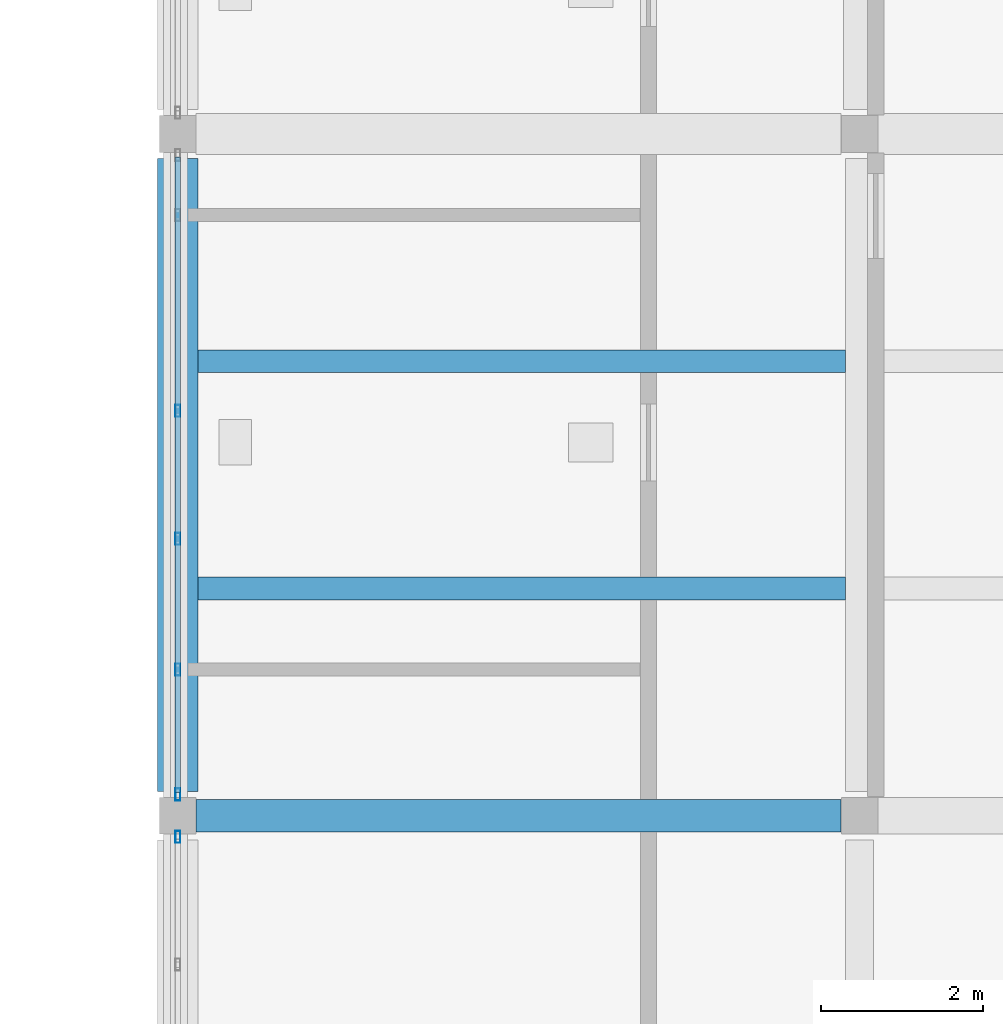
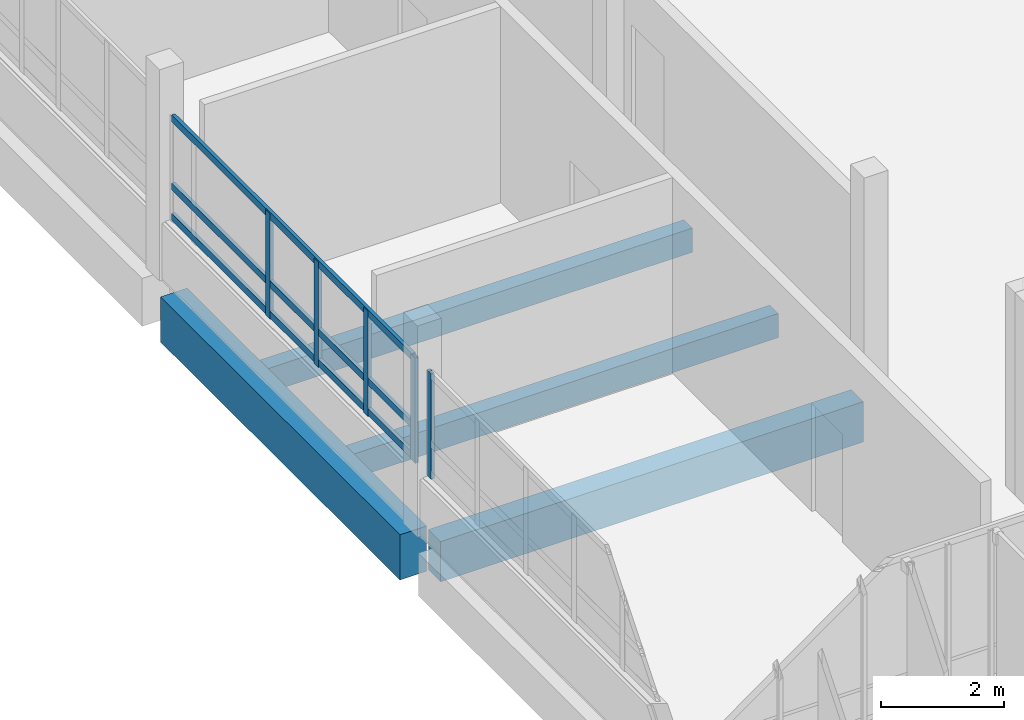
# One storey, part 13 of 62: 8 members, 4 beams, 2 elements without a shape of their own.
"""IFC4 building model written with IfcOpenShell, lengths in metres."""

import ifcopenshell
import ifcopenshell.guid

model = None  # the IFC model being written
_history = None  # IfcOwnerHistory: only IFC2X3 demands one
_inside = {}  # id of a spatial element -> (the spatial element, [elements in it])
_under = {}  # id of a project, library or spatial element -> (it, [spatial elements below it])
_declared = {}  # id of a project -> (the project, [libraries it declares])
_typed = {}  # id of a type object -> (the type object, [elements of that type])
_made_of = {}  # id of a material, layer set ... -> (it, [elements and type objects made of it])


def new_model(schema):
    """Start an empty IFC model of exactly this schema.

    Asked for "IFC4X3", IfcOpenShell would pick the latest addendum, in which some entities
    have other attributes; the version numbers below select the first issue.
    IFC2X3 requires an IfcOwnerHistory on every rooted entity: one is made here for all.
    """
    global model, _history
    if schema == "IFC4X3":
        model = ifcopenshell.file(schema_version=(4, 3, 0, 0))
    else:
        model = ifcopenshell.file(schema=schema)
    _inside.clear()
    _under.clear()
    _declared.clear()
    _typed.clear()
    _made_of.clear()
    _history = None
    if model.schema == "IFC2X3":
        org = make("IfcOrganization", Name="unknown")
        user = make(
            "IfcPersonAndOrganization",
            ThePerson=make("IfcPerson", FamilyName="unknown"),
            TheOrganization=org,
        )
        app = make(
            "IfcApplication",
            ApplicationDeveloper=org,
            Version="unknown",
            ApplicationFullName="unknown",
            ApplicationIdentifier="unknown",
        )
        _history = make(
            "IfcOwnerHistory",
            OwningUser=user,
            OwningApplication=app,
            ChangeAction="ADDED",
            CreationDate=0,
        )
    return model


def make(cls, **values):
    """One entity of the class cls with the attributes given. An attribute that is None is left unset."""
    return model.create_entity(
        cls, **{name: value for name, value in values.items() if value is not None}
    )


def rooted(cls, **values):
    """An entity with a GlobalId (a new one), such as an element, a storey or a relation."""
    return make(cls, GlobalId=ifcopenshell.guid.new(), OwnerHistory=_history, **values)


def si_unit(unit_type, name, prefix=None):
    """IfcSIUnit, for example si_unit("LENGTHUNIT", "METRE", prefix="MILLI")."""
    return make("IfcSIUnit", UnitType=unit_type, Prefix=prefix, Name=name)


def assignment(units):
    """IfcUnitAssignment: the units of a project."""
    return None if units is None else make("IfcUnitAssignment", Units=units)


def point(xyz):
    """IfcCartesianPoint."""
    return None if xyz is None else make("IfcCartesianPoint", Coordinates=xyz)


def direction(xyz):
    """IfcDirection."""
    return None if xyz is None else make("IfcDirection", DirectionRatios=xyz)


def frame(location, z_axis=None, x_axis=None):
    """IfcAxis2Placement3D, a coordinate frame: its origin and axes. An axis left out is left unset."""
    return make(
        "IfcAxis2Placement3D",
        Location=point(location),
        Axis=direction(z_axis),
        RefDirection=direction(x_axis),
    )


def frame_2d(location, x_axis=None):
    """IfcAxis2Placement2D, a coordinate frame in the plane: its origin and x axis."""
    return make(
        "IfcAxis2Placement2D", Location=point(location), RefDirection=direction(x_axis)
    )


def origin():
    """The frame at (0, 0, 0) with its axes left unset."""
    return frame((0.0, 0.0, 0.0))


def origin_2d():
    """The frame at (0, 0) in the plane with its x axis left unset."""
    return frame_2d((0.0, 0.0))


def place(relative_to, where):
    """IfcLocalPlacement: puts the frame where relative to a parent placement (None: the world)."""
    return make(
        "IfcLocalPlacement", PlacementRelTo=relative_to, RelativePlacement=where
    )


def context(
    kind, dimensions, precision=None, world=None, true_north=None, identifier=None
):
    """IfcGeometricRepresentationContext, for example the 3D "Model" context."""
    return make(
        "IfcGeometricRepresentationContext",
        ContextIdentifier=identifier,
        ContextType=kind,
        CoordinateSpaceDimension=dimensions,
        Precision=precision,
        WorldCoordinateSystem=world,
        TrueNorth=true_north,
    )


def subcontext(parent, identifier, kind, view, scale=None):
    """IfcGeometricRepresentationSubContext, for example "Body" below "Model"."""
    return make(
        "IfcGeometricRepresentationSubContext",
        ContextIdentifier=identifier,
        ContextType=kind,
        ParentContext=parent,
        TargetScale=scale,
        TargetView=view,
    )


def project(units=None, contexts=None):
    """IfcProject with its units and contexts."""
    return rooted(
        "IfcProject",
        Name="project",
        RepresentationContexts=contexts,
        UnitsInContext=assignment(units),
    )


def spatial(cls, under=None, at=None, **own):
    """A site, building, storey or space (cls), placed at a placement, below another one or the project."""
    s = rooted(cls, ObjectPlacement=at, **own)
    if under is not None:
        _under.setdefault(under.id(), (under, []))[1].append(s)
    return s


def profile(cls, at=None, kind="AREA", **sizes):
    """A parametric profile (cls). Its sizes go by their IFC names, for example OverallWidth=200.0."""
    return make(cls, ProfileType=kind, Position=at, **sizes)


def rectangle(**sizes):
    """IfcRectangleProfileDef."""
    return profile("IfcRectangleProfileDef", **sizes)


def hollow_rectangle(**sizes):
    """IfcRectangleHollowProfileDef."""
    return profile("IfcRectangleHollowProfileDef", **sizes)


def extrude(swept, where, along, depth):
    """IfcExtrudedAreaSolid: the profile swept, set in the frame where, extruded along a direction by depth."""
    return make(
        "IfcExtrudedAreaSolid",
        SweptArea=swept,
        Position=where,
        ExtrudedDirection=direction(along),
        Depth=depth,
    )


def shape(context_of_items, identifier, shape_type, items):
    """IfcShapeRepresentation: the items that make up one representation, for example the "Body"."""
    return make(
        "IfcShapeRepresentation",
        ContextOfItems=context_of_items,
        RepresentationIdentifier=identifier,
        RepresentationType=shape_type,
        Items=items,
    )


def material(Name=None, Category=None):
    """IfcMaterial."""
    return make("IfcMaterial", Name=Name, Category=Category)


def layer(
    of_material, thickness, ventilated=None, Name=None, Category=None, Priority=None
):
    """IfcMaterialLayer: one layer of a wall or slab, of a material (None: an air gap)."""
    return make(
        "IfcMaterialLayer",
        Material=of_material,
        LayerThickness=thickness,
        IsVentilated=ventilated,
        Name=Name,
        Category=Category,
        Priority=Priority,
    )


def layer_set(layers, Name=None):
    """IfcMaterialLayerSet."""
    return make("IfcMaterialLayerSet", MaterialLayers=layers, LayerSetName=Name)


def material_profile(
    of_material, cross_section, Name=None, Category=None, Priority=None
):
    """IfcMaterialProfile: a cross section and its material."""
    return make(
        "IfcMaterialProfile",
        Name=Name,
        Material=of_material,
        Profile=cross_section,
        Priority=Priority,
        Category=Category,
    )


def profile_set(profiles, Name=None, composite=None):
    """IfcMaterialProfileSet."""
    return make(
        "IfcMaterialProfileSet",
        Name=Name,
        MaterialProfiles=profiles,
        CompositeProfile=composite,
    )


def made_of(thing, what):
    """Note that an element or type object is made of a material, layer set ...; save() writes the relation."""
    if what is not None:
        _made_of.setdefault(what.id(), (what, []))[1].append(thing)
    return thing


def type_object(cls, material=None, **own):
    """A type object (cls), such as IfcWallType, which elements share."""
    return made_of(rooted(cls, **own), material)


def element(
    cls,
    number,
    at=None,
    inside=None,
    cuts=None,
    type_object=None,
    material=None,
    context=None,
    identifier="Body",
    shape_type=None,
    held_by="IfcProductDefinitionShape",
    body=None,
    shapes=None,
    **own,
):
    """One element of the class cls, such as IfcWall. Its Tag is "e" and its number.

    at: its placement. inside: the storey or other place that contains it. cuts: it is an
    opening in that element (IfcRelVoidsElement). A single representation is given by context,
    identifier, shape_type and body (its items); several are given by shapes. held_by: the class
    of the entity that holds the representations. save() writes the other relations.
    """
    e = rooted(cls, Tag="e%d" % number, ObjectPlacement=at, **own)
    if body is not None:
        shapes = [shape(context, identifier, shape_type, body)]
    if shapes is not None:
        e.Representation = make(held_by, Representations=shapes)
    if inside is not None:
        _inside.setdefault(inside.id(), (inside, []))[1].append(e)
    if cuts is not None:
        rooted(
            "IfcRelVoidsElement", RelatingBuildingElement=cuts, RelatedOpeningElement=e
        )
    if type_object is not None:
        _typed.setdefault(type_object.id(), (type_object, []))[1].append(e)
    return made_of(e, material)


def aggregate(whole, parts):
    """IfcRelAggregates: a whole, such as a stair, and the parts it consists of."""
    return rooted("IfcRelAggregates", RelatingObject=whole, RelatedObjects=parts)


def save(model, path):
    """Write the relations noted so far, then the file.

    IfcRelAggregates (storeys below a building ...), IfcRelContainedInSpatialStructure (elements
    in a storey), IfcRelDefinesByType, IfcRelAssociatesMaterial and IfcRelDeclares: one each for
    every whole, place, type object, material and project.
    """
    for whole, parts in _under.values():
        aggregate(whole, parts)
    for where, things in _inside.values():
        rooted(
            "IfcRelContainedInSpatialStructure",
            RelatedElements=things,
            RelatingStructure=where,
        )
    for kind, things in _typed.values():
        rooted("IfcRelDefinesByType", RelatedObjects=things, RelatingType=kind)
    for what, things in _made_of.values():
        rooted("IfcRelAssociatesMaterial", RelatedObjects=things, RelatingMaterial=what)
    for by, libraries in _declared.values():
        rooted("IfcRelDeclares", RelatingContext=by, RelatedDefinitions=libraries)
    model.write(path)


model = new_model("IFC4")

# Units and contexts
model_context = context("Model", 3, precision=1e-05, world=origin(), true_north=direction((0.0, 1.0)))
body_context = subcontext(model_context, "Body", "Model", "MODEL_VIEW")
ifc_project = project(units=[si_unit("LENGTHUNIT", "METRE"), si_unit("AREAUNIT", "SQUARE_METRE"), si_unit("VOLUMEUNIT", "CUBIC_METRE"), si_unit("PLANEANGLEUNIT", "RADIAN"), si_unit("MASSUNIT", "GRAM", prefix="KILO")], contexts=[model_context])

# Site, building, storey
site_placement = place(None, origin())
site = spatial("IfcSite", under=ifc_project, at=site_placement, CompositionType="ELEMENT")
building_placement = place(site_placement, origin())
building = spatial("IfcBuilding", under=site, at=building_placement, Name="Vireocrest Preparatory School", CompositionType="ELEMENT")
storey_placement = place(building_placement, frame((0.0, 0.0, 17.39990234375)))
storey = spatial("IfcBuildingStorey", under=building, at=storey_placement, Name="L04", CompositionType="ELEMENT", Elevation=17.39990234375)

# Curtain wall, member
ifc_material_1 = material(Name="Thermally broken aluminium EN AW-6063-T6", Category="aluminium")
ifc_layer = layer(ifc_material_1, 0.179931640625)
ifc_layer_set = layer_set([ifc_layer], Name="Thermally broken aluminium EN AW-6063-T6")
curtain_wall_type = type_object("IfcCurtainWallType", Name="Court Banded Curtain Wall 8400x3000", PredefinedType="USERDEFINED", material=ifc_layer_set)
curtain_wall_1_placement = place(storey_placement, origin())
curtain_wall_1 = element("IfcCurtainWall", 1, at=curtain_wall_1_placement, inside=storey, type_object=curtain_wall_type, Name="Curtain Wall CW02 CW_L04_CW02_0924_0440_186", ObjectType="CURTAIN WALL", PredefinedType="USERDEFINED")
ifc_material_profile_1 = material_profile(ifc_material_1, hollow_rectangle(XDim=0.06494140625, YDim=0.14990234375, WallThickness=0.00390625, at=origin_2d()), Name="ALU 65x150x4")
ifc_profile_set_1 = profile_set([ifc_material_profile_1], Name="Thermally broken aluminium EN AW-6063-T6")
member_type_1 = type_object("IfcMemberType", Name="CW Mullion 65x150x4", PredefinedType="MULLION", material=ifc_profile_set_1)
member_1_placement = place(storey_placement, frame((92.39990234375, 51.93994140625, 1.150146484375), z_axis=(0.0, 0.0, 1.0), x_axis=(1.0, 0.0, 0.0)))
member_1 = element("IfcMember", 2, at=member_1_placement, type_object=member_type_1, Name="CW Mullion ML1 CW_L04_CW02_0924_0440_186-6", PredefinedType="MULLION", context=body_context, shape_type="SweptSolid", body=[
    extrude(hollow_rectangle(XDim=0.06494140625, YDim=0.14990234375, WallThickness=0.00390625, at=origin_2d()), origin(), (0.0, 0.0, 1.0), 2.094970703125),
])
aggregate(curtain_wall_1, [member_1])

# Curtain wall, members
curtain_wall_2_placement = place(storey_placement, origin())
curtain_wall_2 = element("IfcCurtainWall", 3, at=curtain_wall_2_placement, inside=storey, type_object=curtain_wall_type, Name="Curtain Wall CW02 CW_L04_CW02_0924_0524_186", ObjectType="CURTAIN WALL", PredefinedType="USERDEFINED")
member_2_placement = place(storey_placement, frame((92.39990234375, 52.4599609375, 1.150146484375), z_axis=(0.0, 0.0, 1.0), x_axis=(1.0, 0.0, 0.0)))
member_2 = element("IfcMember", 4, at=member_2_placement, type_object=member_type_1, Name="CW Mullion ML1 CW_L04_CW02_0924_0524_186-1", PredefinedType="MULLION", context=body_context, shape_type="SweptSolid", body=[
    extrude(hollow_rectangle(XDim=0.06494140625, YDim=0.14990234375, WallThickness=0.00390625, at=origin_2d()), origin(), (0.0, 0.0, 1.0), 2.094970703125),
])
member_3_placement = place(storey_placement, frame((92.39990234375, 54.0, 1.150146484375), z_axis=(0.0, 0.0, 1.0), x_axis=(1.0, 0.0, 0.0)))
member_3 = element("IfcMember", 5, at=member_3_placement, type_object=member_type_1, Name="CW Mullion ML1 CW_L04_CW02_0924_0524_186-2", PredefinedType="MULLION", context=body_context, shape_type="SweptSolid", body=[
    extrude(hollow_rectangle(XDim=0.06494140625, YDim=0.14990234375, WallThickness=0.00390625, at=origin_2d()), origin(), (0.0, 0.0, 1.0), 2.094970703125),
])
member_4_placement = place(storey_placement, frame((92.39990234375, 55.612060546875, 1.150146484375), z_axis=(0.0, 0.0, 1.0), x_axis=(1.0, 0.0, 0.0)))
member_4 = element("IfcMember", 6, at=member_4_placement, type_object=member_type_1, Name="CW Mullion ML1 CW_L04_CW02_0924_0524_186-3", PredefinedType="MULLION", context=body_context, shape_type="SweptSolid", body=[
    extrude(hollow_rectangle(XDim=0.06494140625, YDim=0.14990234375, WallThickness=0.00390625, at=origin_2d()), origin(), (0.0, 0.0, 1.0), 2.094970703125),
])
member_5_placement = place(storey_placement, frame((92.39990234375, 57.18798828125, 1.150146484375), z_axis=(0.0, 0.0, 1.0), x_axis=(1.0, 0.0, 0.0)))
member_5 = element("IfcMember", 7, at=member_5_placement, type_object=member_type_1, Name="CW Mullion ML1 CW_L04_CW02_0924_0524_186-4", PredefinedType="MULLION", context=body_context, shape_type="SweptSolid", body=[
    extrude(hollow_rectangle(XDim=0.06494140625, YDim=0.14990234375, WallThickness=0.00390625, at=origin_2d()), origin(), (0.0, 0.0, 1.0), 2.094970703125),
])
ifc_material_profile_2 = material_profile(ifc_material_1, hollow_rectangle(XDim=0.06494140625, YDim=0.139892578125, WallThickness=0.00390625, at=origin_2d()), Name="ALU 65x140x4")
ifc_profile_set_2 = profile_set([ifc_material_profile_2], Name="Thermally broken aluminium EN AW-6063-T6")
member_type_2 = type_object("IfcMemberType", Name="CW Transom 65x140x4", PredefinedType="USERDEFINED", material=ifc_profile_set_2)
member_6_placement = place(storey_placement, frame((92.39990234375, 52.485107421875, 1.2451171875), z_axis=(0.0, 1.0, 0.0), x_axis=(-1.0, 0.0, 0.0)))
member_6 = element("IfcMember", 8, at=member_6_placement, type_object=member_type_2, Name="CW Transom TR1 CW_L04_CW02_0924_0524_186-1", ObjectType="TRANSOM", PredefinedType="USERDEFINED", context=body_context, shape_type="SweptSolid", body=[
    extrude(hollow_rectangle(XDim=0.06494140625, YDim=0.139892578125, WallThickness=0.00390625, at=origin_2d()), origin(), (0.0, 0.0, 1.0), 7.829833984375),
])
member_7_placement = place(storey_placement, frame((92.39990234375, 52.485107421875, 1.85009765625), z_axis=(0.0, 1.0, 0.0), x_axis=(-1.0, 0.0, 0.0)))
member_7 = element("IfcMember", 9, at=member_7_placement, type_object=member_type_2, Name="CW Transom TR1 CW_L04_CW02_0924_0524_186-2", ObjectType="TRANSOM", PredefinedType="USERDEFINED", context=body_context, shape_type="SweptSolid", body=[
    extrude(hollow_rectangle(XDim=0.06494140625, YDim=0.139892578125, WallThickness=0.00390625, at=origin_2d()), origin(), (0.0, 0.0, 1.0), 7.829833984375),
])
member_8_placement = place(storey_placement, frame((92.39990234375, 52.485107421875, 3.205078125), z_axis=(0.0, 1.0, 0.0), x_axis=(-1.0, 0.0, 0.0)))
member_8 = element("IfcMember", 10, at=member_8_placement, type_object=member_type_2, Name="CW Transom TR1 CW_L04_CW02_0924_0524_186-3", ObjectType="TRANSOM", PredefinedType="USERDEFINED", context=body_context, shape_type="SweptSolid", body=[
    extrude(hollow_rectangle(XDim=0.06494140625, YDim=0.139892578125, WallThickness=0.00390625, at=origin_2d()), origin(), (0.0, 0.0, 1.0), 7.829833984375),
])
aggregate(curtain_wall_2, [member_2, member_3, member_4, member_5, member_6, member_7, member_8])

# Beams
ifc_material_2 = material(Name="Concrete 40 MPa", Category="concrete")
ifc_material_profile_3 = material_profile(ifc_material_2, rectangle(XDim=0.39990234375, YDim=0.800048828125, at=origin_2d()), Name="RC 400x800")
ifc_profile_set_3 = profile_set([ifc_material_profile_3], Name="Concrete 40 MPa")
beam_type_1 = type_object("IfcBeamType", Name="RC Library Reading Girder 400x800", PredefinedType="BEAM", material=ifc_profile_set_3)
beam_1_placement = place(storey_placement, frame((92.625, 52.199951171875, -0.659912109375), z_axis=(1.0, 0.0, 0.0), x_axis=(0.0, 1.0, 0.0)))
element("IfcBeam", 11, at=beam_1_placement, inside=storey, type_object=beam_type_1, Name="Primary Girder B10 L04-1304", PredefinedType="BEAM", context=body_context, shape_type="SweptSolid", body=[
    extrude(rectangle(XDim=0.39990234375, YDim=0.800048828125, at=origin_2d()), origin(), (0.0, 0.0, 1.0), 7.949951171875),
])
ifc_material_profile_4 = material_profile(ifc_material_2, rectangle(XDim=0.5, YDim=0.89990234375, at=origin_2d()), Name="RC 500x900")
ifc_profile_set_4 = profile_set([ifc_material_profile_4], Name="Concrete 40 MPa")
beam_type_2 = type_object("IfcBeamType", Name="RC Podium Girder 500x900", PredefinedType="BEAM", material=ifc_profile_set_4)
beam_2_placement = place(storey_placement, frame((92.39990234375, 52.5, -0.7099609375), z_axis=(0.0, 1.0, 0.0), x_axis=(-1.0, 0.0, 0.0)))
element("IfcBeam", 12, at=beam_2_placement, inside=storey, type_object=beam_type_2, Name="Primary Girder B15 L04-1394", PredefinedType="BEAM", context=body_context, shape_type="SweptSolid", body=[
    extrude(rectangle(XDim=0.5, YDim=0.89990234375, at=origin_2d()), origin(), (0.0, 0.0, 1.0), 7.800048828125),
])
ifc_material_profile_5 = material_profile(ifc_material_2, rectangle(XDim=0.280029296875, YDim=0.47998046875, at=origin_2d()), Name="RC 280x480")
ifc_profile_set_5 = profile_set([ifc_material_profile_5], Name="Concrete 40 MPa")
beam_type_3 = type_object("IfcBeamType", Name="RC Secondary Lab Joist 280x480", PredefinedType="JOIST", material=ifc_profile_set_5)
for number, where, z_axis, x_axis, name in (
    (13, (92.64990234375, 55.0, -0.5), (1.0, 0.0, 0.0), (0.0, 1.0, 0.0), "Secondary Joist J02 L04-1485"),
    (14, (92.64990234375, 57.800048828125, -0.5), (1.0, 0.0, 0.0), (0.0, 1.0, 0.0), "Secondary Joist J02 L04-1486"),
):
    element("IfcBeam", number, at=place(storey_placement, frame(where, z_axis=z_axis, x_axis=x_axis)), inside=storey, type_object=beam_type_3, Name=name, PredefinedType="JOIST", context=body_context, shape_type="SweptSolid", body=[
        extrude(rectangle(XDim=0.280029296875, YDim=0.47998046875, at=origin_2d()), origin(), (0.0, 0.0, 1.0), 7.97509765625),
    ])

save(model, "model.ifc")
